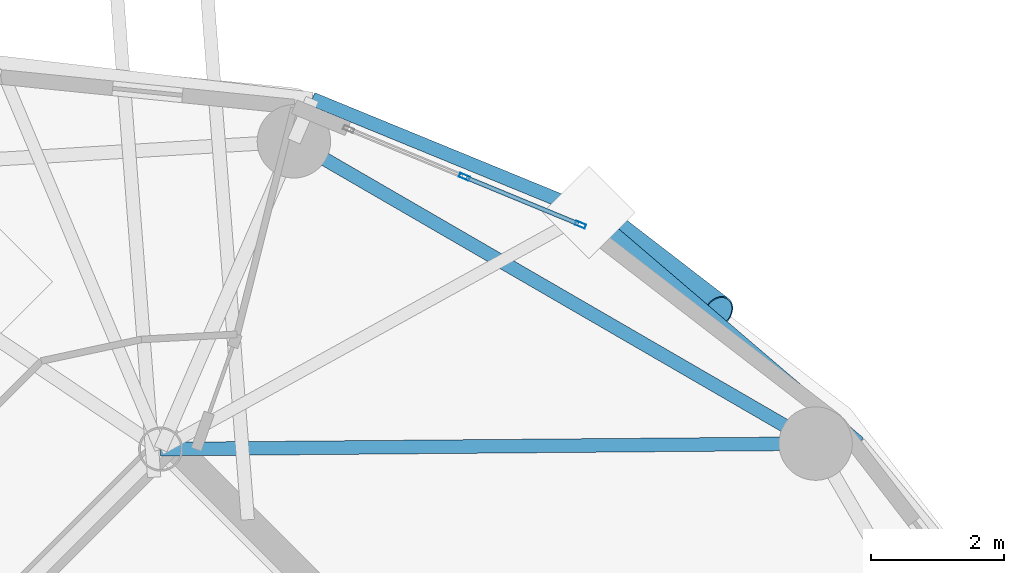
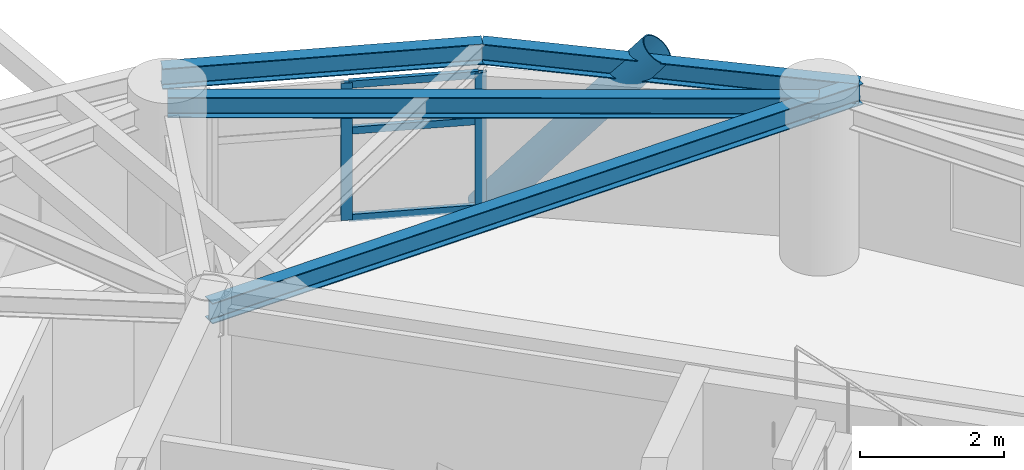
# One storey, part 6 of 16: 6 members, 4 beams, 1 element without a shape of its own.
"""IFC4 building model written with IfcOpenShell, lengths in metres."""

from ifc_helpers import new_model, si_unit, direction, frame, origin, origin_2d, place, context, subcontext, project, spatial, hollow_rectangle, hollow_circle, i_section, extrude, material, layer, layer_set, material_profile, profile_set, type_object, element, aggregate, save


model = new_model("IFC4")

# Units and contexts
model_context = context("Model", 3, precision=1e-05, world=origin(), true_north=direction((0.0, 1.0)))
body_context = subcontext(model_context, "Body", "Model", "MODEL_VIEW")
ifc_project = project(units=[si_unit("LENGTHUNIT", "METRE"), si_unit("AREAUNIT", "SQUARE_METRE"), si_unit("VOLUMEUNIT", "CUBIC_METRE"), si_unit("PLANEANGLEUNIT", "RADIAN"), si_unit("MASSUNIT", "GRAM", prefix="KILO")], contexts=[model_context])

# Site, building, storey
site_placement = place(None, origin())
site = spatial("IfcSite", under=ifc_project, at=site_placement, CompositionType="ELEMENT")
building_placement = place(site_placement, origin())
building = spatial("IfcBuilding", under=site, at=building_placement, Name="Cununo Teusaquillo Station Towers", CompositionType="ELEMENT")
storey_placement = place(building_placement, frame((0.0, 0.0, 196.659912109375)))
storey = spatial("IfcBuildingStorey", under=building, at=storey_placement, Name="L62", CompositionType="ELEMENT", Elevation=196.659912109375)

# Beams
ifc_material_1 = material(Name="Steel ASTM A572 Grade 50", Category="steel")
ifc_material_profile_1 = material_profile(ifc_material_1, i_section(OverallWidth=0.2041015625, OverallDepth=0.35009765625, WebThickness=0.008544921875, FlangeThickness=0.01513671875, FilletRadius=0.011962890625, at=origin_2d()), Name="W14X48")
ifc_profile_set_1 = profile_set([ifc_material_profile_1], Name="Steel ASTM A572 Grade 50")
beam_type_1 = type_object("IfcBeamType", Name="BM-RAD-G3", PredefinedType="BEAM", material=ifc_profile_set_1)
beam_1_placement = place(storey_placement, frame((56.29443359375, 33.024169921875, 2.525146484375), z_axis=(0.999964325253, 0.008446787673, 0.0), x_axis=(-0.008446787673, 0.999964325253, 0.0)))
element("IfcBeam", 1, at=beam_1_placement, inside=storey, type_object=beam_type_1, Name="L62 Tower B Continuous Overhanging Radial Girder 01", PredefinedType="BEAM", context=body_context, shape_type="SweptSolid", body=[
    extrude(i_section(OverallWidth=0.2041015625, OverallDepth=0.35009765625, WebThickness=0.008544921875, FlangeThickness=0.01513671875, FilletRadius=0.011962890625, at=origin_2d()), origin(), (0.0, 0.0, 1.0), 10.463134765625),
])
ifc_material_2 = material(Name="Steel ASTM A572 Grade 50", Category="steel")
ifc_material_profile_2 = material_profile(ifc_material_2, i_section(OverallWidth=0.2041015625, OverallDepth=0.35009765625, WebThickness=0.008544921875, FlangeThickness=0.01513671875, FilletRadius=0.011962890625, at=origin_2d()), Name="W14X48")
ifc_profile_set_2 = profile_set([ifc_material_profile_2], Name="Steel ASTM A572 Grade 50")
beam_type_2 = type_object("IfcBeamType", Name="BM-RING-Z4", PredefinedType="SPANDREL", material=ifc_profile_set_2)
beam_2_placement = place(storey_placement, frame((66.10693359375, 33.10693359375, 2.525146484375), z_axis=(-0.865267103202, 0.501311121078, 0.0), x_axis=(-0.501311121078, -0.865267103202, 0.0)))
element("IfcBeam", 2, at=beam_2_placement, inside=storey, type_object=beam_type_2, Name="L62 Tower B Structural Column Ring Girder 01", PredefinedType="SPANDREL", context=body_context, shape_type="SweptSolid", body=[
    extrude(i_section(OverallWidth=0.2041015625, OverallDepth=0.35009765625, WebThickness=0.008544921875, FlangeThickness=0.01513671875, FilletRadius=0.011962890625, at=origin_2d()), origin(), (0.0, 0.0, 1.0), 9.032958984375),
])
beam_3_placement = place(storey_placement, frame((66.757080078125, 33.112548828125, 2.525146484375), z_axis=(-0.760065778291, 0.649846145385, 0.0), x_axis=(-0.649846145385, -0.760065778291, 0.0)))
element("IfcBeam", 3, at=beam_3_placement, inside=storey, type_object=beam_type_2, Name="L62 Tower B Spandrel Ring Beam 01", PredefinedType="SPANDREL", context=body_context, shape_type="SweptSolid", body=[
    extrude(i_section(OverallWidth=0.2041015625, OverallDepth=0.35009765625, WebThickness=0.008544921875, FlangeThickness=0.01513671875, FilletRadius=0.011962890625, at=origin_2d()), origin(), (0.0, 0.0, 1.0), 5.320556640625),
])
beam_4_placement = place(storey_placement, frame((62.713134765625, 36.570068359375, 2.525146484375), z_axis=(-0.925283830437, 0.379275405388, 0.0), x_axis=(-0.379275405388, -0.925283830437, 0.0)))
element("IfcBeam", 4, at=beam_4_placement, inside=storey, type_object=beam_type_2, Name="L62 Tower B Spandrel Ring Beam 02", PredefinedType="SPANDREL", context=body_context, shape_type="SweptSolid", body=[
    extrude(i_section(OverallWidth=0.2041015625, OverallDepth=0.35009765625, WebThickness=0.008544921875, FlangeThickness=0.01513671875, FilletRadius=0.011962890625, at=origin_2d()), origin(), (0.0, 0.0, 1.0), 4.482177734375),
])

# Curtain wall, members
ifc_material_3 = material(Name="Ceramic-fritted dark low-E double glazing", Category="glass")
ifc_layer = layer(ifc_material_3, 0.179931640625)
ifc_layer_set = layer_set([ifc_layer], Name="Ceramic-fritted dark low-E double glazing")
curtain_wall_type = type_object("IfcCurtainWallType", Name="CW-SYS-07", PredefinedType="USERDEFINED", material=ifc_layer_set)
curtain_wall_placement = place(storey_placement, origin())
curtain_wall = element("IfcCurtainWall", 5, at=curtain_wall_placement, inside=storey, type_object=curtain_wall_type, Name="L62 Tower B Facade Curtain Wall C01", ObjectType="FRITTED GLAZING", PredefinedType="USERDEFINED")
ifc_material_4 = material(Name="Anodised dark bronze aluminium EN AW-6063-T6", Category="aluminium")
ifc_material_profile_3 = material_profile(ifc_material_4, hollow_rectangle(XDim=0.06494140625, YDim=0.159912109375, WallThickness=0.00390625, at=origin_2d()), Name="CW-MULL-65x160")
ifc_profile_set_3 = profile_set([ifc_material_profile_3], Name="Anodised dark bronze aluminium EN AW-6063-T6")
member_type_1 = type_object("IfcMemberType", Name="CWM-160", PredefinedType="MULLION", material=ifc_profile_set_3)
member_1_placement = place(storey_placement, frame((60.84716796875, 37.102294921875, 0.0), z_axis=(0.0, 0.0, 1.0), x_axis=(0.381310513086, 0.924447019904, 0.0)))
member_1 = element("IfcMember", 6, at=member_1_placement, type_object=member_type_1, Name="CW-07 mullion 2", PredefinedType="MULLION", context=body_context, shape_type="SweptSolid", body=[
    extrude(hollow_rectangle(XDim=0.06494140625, YDim=0.159912109375, WallThickness=0.00390625, at=origin_2d()), origin(), (0.0, 0.0, 1.0), 2.322021484375),
])
member_2_placement = place(storey_placement, frame((62.583251953125, 36.38623046875, 0.0), z_axis=(0.0, 0.0, 1.0), x_axis=(0.381310513086, 0.924447019904, 0.0)))
member_2 = element("IfcMember", 7, at=member_2_placement, type_object=member_type_1, Name="CW-07 mullion 3", PredefinedType="MULLION", context=body_context, shape_type="SweptSolid", body=[
    extrude(hollow_rectangle(XDim=0.06494140625, YDim=0.159912109375, WallThickness=0.00390625, at=origin_2d()), origin(), (0.0, 0.0, 1.0), 2.322021484375),
])
ifc_material_5 = material(Name="Anodised dark bronze aluminium EN AW-6063-T6", Category="aluminium")
ifc_material_profile_4 = material_profile(ifc_material_5, hollow_rectangle(XDim=0.06494140625, YDim=0.1201171875, WallThickness=0.00390625, at=origin_2d()), Name="CW-TRAN-65x120")
ifc_profile_set_4 = profile_set([ifc_material_profile_4], Name="Anodised dark bronze aluminium EN AW-6063-T6")
member_type_2 = type_object("IfcMemberType", Name="CWT-120", PredefinedType="USERDEFINED", material=ifc_profile_set_4)
member_3_placement = place(storey_placement, frame((60.877197265625, 37.08984375, 0.032470703125), z_axis=(0.92447716721, -0.381237415932, 0.0), x_axis=(0.381237415932, 0.92447716721, 0.0)))
member_3 = element("IfcMember", 8, at=member_3_placement, type_object=member_type_2, Name="CW-07 transom 2.1", ObjectType="TRANSOM", PredefinedType="USERDEFINED", context=body_context, shape_type="SweptSolid", body=[
    extrude(hollow_rectangle(XDim=0.06494140625, YDim=0.1201171875, WallThickness=0.00390625, at=origin_2d()), origin(), (0.0, 0.0, 1.0), 1.81298828125),
])
member_4_placement = place(storey_placement, frame((60.877197265625, 37.08984375, 1.509033203125), z_axis=(0.92447716721, -0.381237415932, 0.0), x_axis=(0.381237415932, 0.92447716721, 0.0)))
member_4 = element("IfcMember", 9, at=member_4_placement, type_object=member_type_2, Name="CW-07 transom 2.2", ObjectType="TRANSOM", PredefinedType="USERDEFINED", context=body_context, shape_type="SweptSolid", body=[
    extrude(hollow_rectangle(XDim=0.06494140625, YDim=0.1201171875, WallThickness=0.00390625, at=origin_2d()), origin(), (0.0, 0.0, 1.0), 1.81298828125),
])
member_5_placement = place(storey_placement, frame((60.877197265625, 37.08984375, 2.28955078125), z_axis=(0.92447716721, -0.381237415932, 0.0), x_axis=(0.381237415932, 0.92447716721, 0.0)))
member_5 = element("IfcMember", 10, at=member_5_placement, type_object=member_type_2, Name="CW-07 transom 2.3", ObjectType="TRANSOM", PredefinedType="USERDEFINED", context=body_context, shape_type="SweptSolid", body=[
    extrude(hollow_rectangle(XDim=0.06494140625, YDim=0.1201171875, WallThickness=0.00390625, at=origin_2d()), origin(), (0.0, 0.0, 1.0), 1.81298828125),
])
aggregate(curtain_wall, [member_1, member_2, member_3, member_4, member_5])

# Member
ifc_material_6 = material(Name="Steel EN 10025-2 S355J2", Category="steel")
ifc_material_profile_5 = material_profile(ifc_material_6, hollow_circle(Radius=0.25390625, WallThickness=0.01806640625, at=origin_2d()), Name="CHS 508x18")
ifc_profile_set_5 = profile_set([ifc_material_profile_5], Name="Steel EN 10025-2 S355J2")
member_type_3 = type_object("IfcMemberType", Name="MBR-DIAG-Z4", PredefinedType="BRACE", material=ifc_profile_set_5)
member_6_placement = place(storey_placement, frame((62.713134765625, 36.570068359375, -0.139892578125), z_axis=(0.509547803244, -0.392567653256, 0.765670734602), x_axis=(0.610304239587, 0.792167113141, 0.0)))
element("IfcMember", 11, at=member_6_placement, inside=storey, type_object=member_type_3, Name="L62 Tower B Folded-Zigzag Diagrid Tube C00", PredefinedType="BRACE", context=body_context, shape_type="SweptSolid", body=[
    extrude(hollow_circle(Radius=0.25390625, WallThickness=0.01806640625, at=origin_2d()), origin(), (0.0, 0.0, 1.0), 3.800537109375),
])

save(model, "model.ifc")
